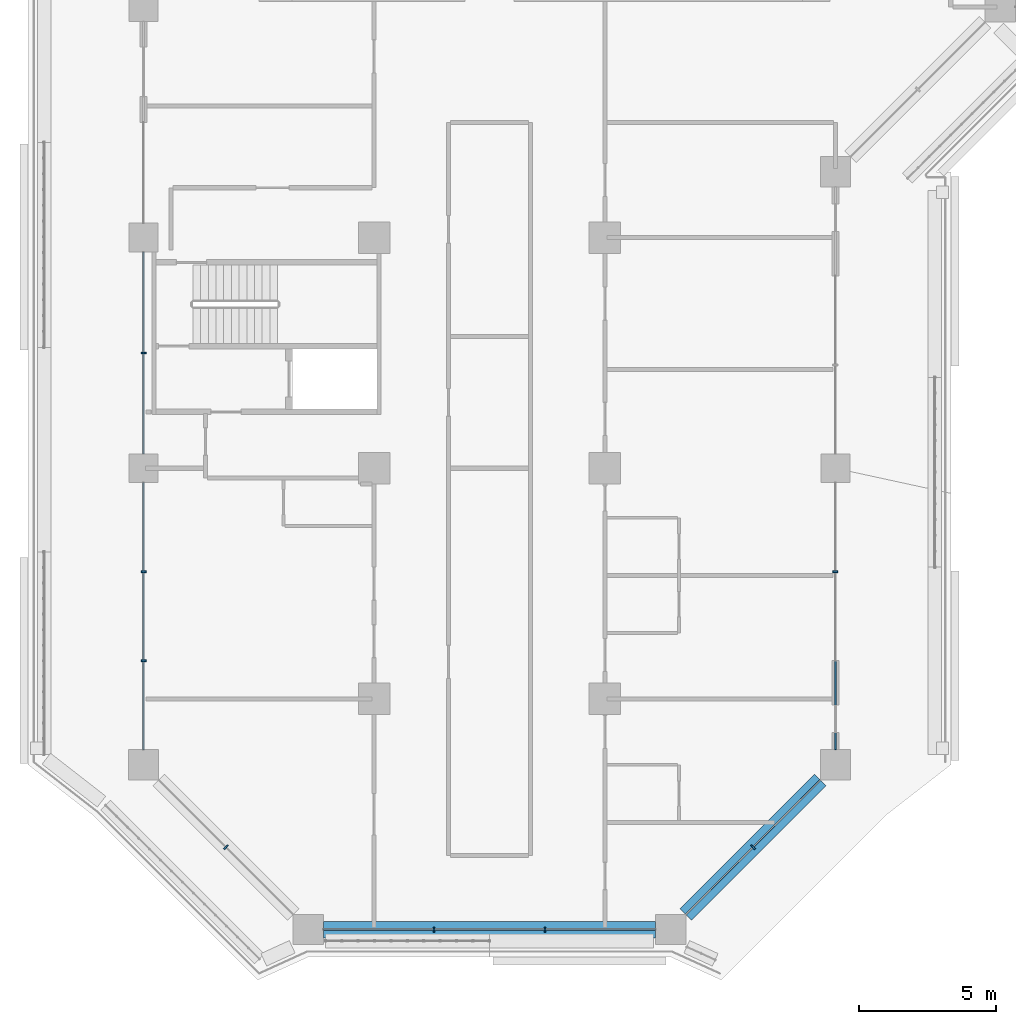
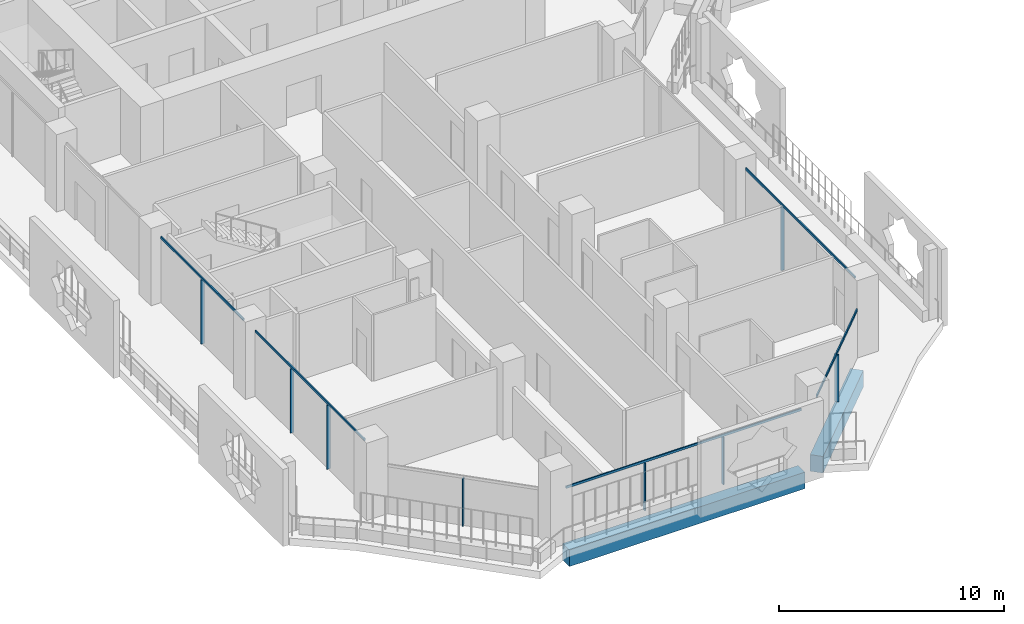
# One storey, part 2 of 25: 13 members, 2 beams, 5 elements without a shape of their own.
"""IFC4 building model written with IfcOpenShell, lengths in metres."""

from ifc_helpers import new_model, si_unit, direction, frame, origin, origin_2d, place, context, subcontext, project, spatial, rectangle, extrude, material, layer, layer_set, material_profile, profile_set, type_object, element, aggregate, save


model = new_model("IFC4")

# Units and contexts
model_context = context("Model", 3, precision=1e-05, world=origin(), true_north=direction((0.0, 1.0)))
body_context = subcontext(model_context, "Body", "Model", "MODEL_VIEW")
ifc_project = project(units=[si_unit("LENGTHUNIT", "METRE"), si_unit("AREAUNIT", "SQUARE_METRE"), si_unit("VOLUMEUNIT", "CUBIC_METRE"), si_unit("PLANEANGLEUNIT", "RADIAN"), si_unit("MASSUNIT", "GRAM", prefix="KILO")], contexts=[model_context])

# Site, building, storey
site_placement = place(None, origin())
site = spatial("IfcSite", under=ifc_project, at=site_placement, CompositionType="ELEMENT")
building_placement = place(site_placement, origin())
building = spatial("IfcBuilding", under=site, at=building_placement, Name="Kawkab Arch Medical Tower", CompositionType="ELEMENT")
storey_placement = place(building_placement, frame((0.0, 0.0, 145.0)))
storey = spatial("IfcBuildingStorey", under=building, at=storey_placement, Name="L33", CompositionType="ELEMENT", Elevation=145.0)

# Curtain wall, members
ifc_material_1 = material(Name="Bronze anodised aluminium curtain wall frame", Category="aluminium")
ifc_layer_1 = layer(ifc_material_1, 0.159912109375)
ifc_layer_set_1 = layer_set([ifc_layer_1], Name="Bronze anodised aluminium curtain wall frame")
curtain_wall_type_1 = type_object("IfcCurtainWallType", Name="CW1 ward curtain wall", PredefinedType="NOTDEFINED", material=ifc_layer_set_1)
placement = place(storey_placement, origin())
curtain_wall_1 = element("IfcCurtainWall", 1, at=placement, inside=storey, type_object=curtain_wall_type_1, Name="CW1 Ward curtain wall R01", PredefinedType="NOTDEFINED")
ifc_material_2 = material(Name="Bronze anodised aluminium curtain wall frame", Category="aluminium")
ifc_material_profile_1 = material_profile(ifc_material_2, rectangle(XDim=0.179931640625, YDim=0.06005859375, at=origin_2d()), Name="AL 60x180")
ifc_profile_set_1 = profile_set([ifc_material_profile_1], Name="Bronze anodised aluminium curtain wall frame")
member_type_1 = type_object("IfcMemberType", Name="CW1 mullion 60 x 180", PredefinedType="MULLION", material=ifc_profile_set_1)
member_1_placement = place(storey_placement, frame((0.0, -37.800048828125, 0.0), z_axis=(0.0, 0.0, 1.0), x_axis=(1.0, 0.0, 0.0)))
member_1 = element("IfcMember", 2, at=member_1_placement, type_object=member_type_1, Name="CW1 mullion 5.1", PredefinedType="MULLION", context=body_context, shape_type="SweptSolid", body=[
    extrude(rectangle(XDim=0.179931640625, YDim=0.06005859375, at=origin_2d()), origin(), (0.0, 0.0, 1.0), 3.47998046875),
])
member_2_placement = place(storey_placement, frame((0.0, -45.7666015625, 0.0), z_axis=(0.0, 0.0, 1.0), x_axis=(1.0, 0.0, 0.0)))
member_2 = element("IfcMember", 3, at=member_2_placement, type_object=member_type_1, Name="CW1 mullion 6.1", PredefinedType="MULLION", context=body_context, shape_type="SweptSolid", body=[
    extrude(rectangle(XDim=0.179931640625, YDim=0.06005859375, at=origin_2d()), origin(), (0.0, 0.0, 1.0), 3.47998046875),
])
member_3_placement = place(storey_placement, frame((0.0, -49.00830078125, 0.0), z_axis=(0.0, 0.0, 1.0), x_axis=(1.0, 0.0, 0.0)))
member_3 = element("IfcMember", 4, at=member_3_placement, type_object=member_type_1, Name="CW1 mullion 6.2", PredefinedType="MULLION", context=body_context, shape_type="SweptSolid", body=[
    extrude(rectangle(XDim=0.179931640625, YDim=0.06005859375, at=origin_2d()), origin(), (0.0, 0.0, 1.0), 3.47998046875),
])

curtain_wall_2 = element("IfcCurtainWall", 5, at=placement, inside=storey, type_object=curtain_wall_type_1, Name="CW1 Ward curtain wall R03", PredefinedType="NOTDEFINED")
member_4_placement = place(storey_placement, frame((10.583251953125, -58.800048828125, 0.0), z_axis=(0.0, 0.0, 1.0), x_axis=(0.0, 1.0, 0.0)))
member_4 = element("IfcMember", 6, at=member_4_placement, type_object=member_type_1, Name="CW1 mullion 1.1", PredefinedType="MULLION", context=body_context, shape_type="SweptSolid", body=[
    extrude(rectangle(XDim=0.179931640625, YDim=0.06005859375, at=origin_2d()), origin(), (0.0, 0.0, 1.0), 2.580078125),
])
member_5_placement = place(storey_placement, frame((14.61669921875, -58.800048828125, 0.0), z_axis=(0.0, 0.0, 1.0), x_axis=(0.0, 1.0, 0.0)))
member_5 = element("IfcMember", 7, at=member_5_placement, type_object=member_type_1, Name="CW1 mullion 1.2", PredefinedType="MULLION", context=body_context, shape_type="SweptSolid", body=[
    extrude(rectangle(XDim=0.179931640625, YDim=0.06005859375, at=origin_2d()), origin(), (0.0, 0.0, 1.0), 2.580078125),
])

# Curtain wall, member
curtain_wall_3 = element("IfcCurtainWall", 8, at=placement, inside=storey, type_object=curtain_wall_type_1, Name="CW1 Ward curtain wall R05", PredefinedType="NOTDEFINED")
member_6_placement = place(storey_placement, frame((25.199951171875, -45.7666015625, 0.0), z_axis=(0.0, 0.0, 1.0), x_axis=(-1.0, 0.0, 0.0)))
member_6 = element("IfcMember", 9, at=member_6_placement, type_object=member_type_1, Name="CW1 mullion 1.2", PredefinedType="MULLION", context=body_context, shape_type="SweptSolid", body=[
    extrude(rectangle(XDim=0.179931640625, YDim=0.06005859375, at=origin_2d()), origin(), (0.0, 0.0, 1.0), 3.47998046875),
])

# Member
ifc_material_3 = material(Name="Bronze anodised aluminium curtain wall frame", Category="aluminium")
ifc_material_profile_2 = material_profile(ifc_material_3, rectangle(XDim=0.06005859375, YDim=0.1201171875, at=origin_2d()), Name="AL 60x120")
ifc_profile_set_2 = profile_set([ifc_material_profile_2], Name="Bronze anodised aluminium curtain wall frame")
member_type_2 = type_object("IfcMemberType", Name="CW1 transom 120 x 60", PredefinedType="USERDEFINED", material=ifc_profile_set_2)
member_7_placement = place(storey_placement, frame((0.0, -34.125, 3.5400390625), z_axis=(0.0, -1.0, 0.0), x_axis=(1.0, 0.0, 0.0)))
member_7 = element("IfcMember", 10, at=member_7_placement, type_object=member_type_2, Name="CW1 transom 5", ObjectType="TRANSOM", PredefinedType="USERDEFINED", context=body_context, shape_type="SweptSolid", body=[
    extrude(rectangle(XDim=0.06005859375, YDim=0.1201171875, at=origin_2d()), origin(), (0.0, 0.0, 1.0), 7.35009765625),
])

member_8_placement = place(storey_placement, frame((0.0, -42.52490234375, 3.5400390625), z_axis=(0.0, -1.0, 0.0), x_axis=(1.0, 0.0, 0.0)))
member_8 = element("IfcMember", 11, at=member_8_placement, type_object=member_type_2, Name="CW1 transom 6", ObjectType="TRANSOM", PredefinedType="USERDEFINED", context=body_context, shape_type="SweptSolid", body=[
    extrude(rectangle(XDim=0.06005859375, YDim=0.1201171875, at=origin_2d()), origin(), (0.0, 0.0, 1.0), 9.72509765625),
])

aggregate(curtain_wall_1, [member_7, member_1, member_8, member_2, member_3])

member_9_placement = place(storey_placement, frame((6.550048828125, -58.800048828125, 2.639892578125), z_axis=(1.0, 0.0, 0.0), x_axis=(0.0, 1.0, 0.0)))
member_9 = element("IfcMember", 12, at=member_9_placement, type_object=member_type_2, Name="CW1 transom 1", ObjectType="TRANSOM", PredefinedType="USERDEFINED", context=body_context, shape_type="SweptSolid", body=[
    extrude(rectangle(XDim=0.06005859375, YDim=0.1201171875, at=origin_2d()), origin(), (0.0, 0.0, 1.0), 12.099853515625),
])

aggregate(curtain_wall_2, [member_9, member_4, member_5])

member_10_placement = place(storey_placement, frame((25.199951171875, -52.25, 3.5400390625), z_axis=(0.0, 1.0, 0.0), x_axis=(-1.0, 0.0, 0.0)))
member_10 = element("IfcMember", 13, at=member_10_placement, type_object=member_type_2, Name="CW1 transom 1", ObjectType="TRANSOM", PredefinedType="USERDEFINED", context=body_context, shape_type="SweptSolid", body=[
    extrude(rectangle(XDim=0.06005859375, YDim=0.1201171875, at=origin_2d()), origin(), (0.0, 0.0, 1.0), 9.72509765625),
])

aggregate(curtain_wall_3, [member_10, member_6])

# Curtain wall, member
ifc_material_4 = material(Name="Bronze anodised aluminium curtain wall frame", Category="aluminium")
ifc_layer_2 = layer(ifc_material_4, 0.159912109375)
ifc_layer_set_2 = layer_set([ifc_layer_2], Name="Bronze anodised aluminium curtain wall frame")
curtain_wall_type_2 = type_object("IfcCurtainWallType", Name="CW2 chamfer curtain wall", PredefinedType="NOTDEFINED", material=ifc_layer_set_2)
curtain_wall_4 = element("IfcCurtainWall", 14, at=placement, inside=storey, type_object=curtain_wall_type_2, Name="CW2 Chamfer curtain wall R02", PredefinedType="NOTDEFINED")
ifc_material_5 = material(Name="Bronze anodised aluminium curtain wall frame", Category="aluminium")
ifc_material_profile_3 = material_profile(ifc_material_5, rectangle(XDim=0.199951171875, YDim=0.06005859375, at=origin_2d()), Name="AL 60x200")
ifc_profile_set_3 = profile_set([ifc_material_profile_3], Name="Bronze anodised aluminium curtain wall frame")
member_type_3 = type_object("IfcMemberType", Name="CW2 mullion 60 x 200", PredefinedType="MULLION", material=ifc_profile_set_3)
member_11_placement = place(storey_placement, frame((3.0, -55.800048828125, 0.0), z_axis=(0.0, 0.0, 1.0), x_axis=(0.707106781187, 0.707106781187, 0.0)))
member_11 = element("IfcMember", 15, at=member_11_placement, type_object=member_type_3, Name="CW2 mullion 1.1", PredefinedType="MULLION", context=body_context, shape_type="SweptSolid", body=[
    extrude(rectangle(XDim=0.199951171875, YDim=0.06005859375, at=origin_2d()), origin(), (0.0, 0.0, 1.0), 2.56005859375),
])
aggregate(curtain_wall_4, [member_11])

# Curtain wall, members
curtain_wall_5 = element("IfcCurtainWall", 16, at=placement, inside=storey, type_object=curtain_wall_type_2, Name="CW2 Chamfer curtain wall R04", PredefinedType="NOTDEFINED")
member_12_placement = place(storey_placement, frame((22.199951171875, -55.800048828125, 0.0), z_axis=(0.0, 0.0, 1.0), x_axis=(-0.707106781187, 0.707106781187, 0.0)))
member_12 = element("IfcMember", 17, at=member_12_placement, type_object=member_type_3, Name="CW2 mullion 1.1", PredefinedType="MULLION", context=body_context, shape_type="SweptSolid", body=[
    extrude(rectangle(XDim=0.199951171875, YDim=0.06005859375, at=origin_2d()), origin(), (0.0, 0.0, 1.0), 2.56005859375),
])
ifc_material_6 = material(Name="Bronze anodised aluminium curtain wall frame", Category="aluminium")
ifc_material_profile_4 = material_profile(ifc_material_6, rectangle(XDim=0.06005859375, YDim=0.139892578125, at=origin_2d()), Name="AL 60x140")
ifc_profile_set_4 = profile_set([ifc_material_profile_4], Name="Bronze anodised aluminium curtain wall frame")
member_type_4 = type_object("IfcMemberType", Name="CW2 transom 140 x 60", PredefinedType="USERDEFINED", material=ifc_profile_set_4)
member_13_placement = place(storey_placement, frame((19.75, -58.25, 2.6298828125), z_axis=(0.707106781187, 0.707106781187, 0.0), x_axis=(-0.707106781187, 0.707106781187, 0.0)))
member_13 = element("IfcMember", 18, at=member_13_placement, type_object=member_type_4, Name="CW2 transom 1", ObjectType="TRANSOM", PredefinedType="USERDEFINED", context=body_context, shape_type="SweptSolid", body=[
    extrude(rectangle(XDim=0.06005859375, YDim=0.139892578125, at=origin_2d()), origin(), (0.0, 0.0, 1.0), 6.929443359375),
])
aggregate(curtain_wall_5, [member_13, member_12])

# Beams
ifc_material_7 = material(Name="Concrete C55/67", Category="concrete")
ifc_material_profile_5 = material_profile(ifc_material_7, rectangle(XDim=0.60009765625, YDim=0.89990234375, at=origin_2d()), Name="RC 600x900")
ifc_profile_set_5 = profile_set([ifc_material_profile_5], Name="Concrete C55/67")
beam_type = type_object("IfcBeamType", Name="RC 600x900 beam C55/67", PredefinedType="BEAM", material=ifc_profile_set_5)
beam_1_placement = place(storey_placement, frame((24.64990234375, -53.35009765625, -1.050048828125), z_axis=(-0.707106781187, -0.707106781187, 0.0), x_axis=(0.707106781187, -0.707106781187, 0.0)))
element("IfcBeam", 19, at=beam_1_placement, inside=storey, type_object=beam_type, Name="Overhang edge beam L33-07", PredefinedType="BEAM", context=body_context, shape_type="SweptSolid", body=[
    extrude(rectangle(XDim=0.60009765625, YDim=0.89990234375, at=origin_2d()), origin(), (0.0, 0.0, 1.0), 6.929443359375),
])
beam_2_placement = place(storey_placement, frame((18.64990234375, -58.800048828125, -1.050048828125), z_axis=(-1.0, 0.0, 0.0), x_axis=(0.0, -1.0, 0.0)))
element("IfcBeam", 20, at=beam_2_placement, inside=storey, type_object=beam_type, Name="Overhang edge beam L33-08", PredefinedType="BEAM", context=body_context, shape_type="SweptSolid", body=[
    extrude(rectangle(XDim=0.60009765625, YDim=0.89990234375, at=origin_2d()), origin(), (0.0, 0.0, 1.0), 12.099853515625),
])

save(model, "model.ifc")
